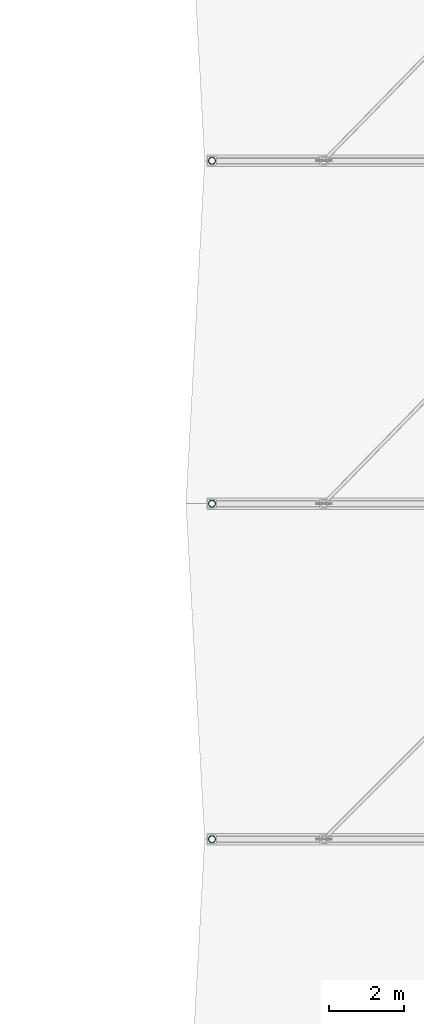
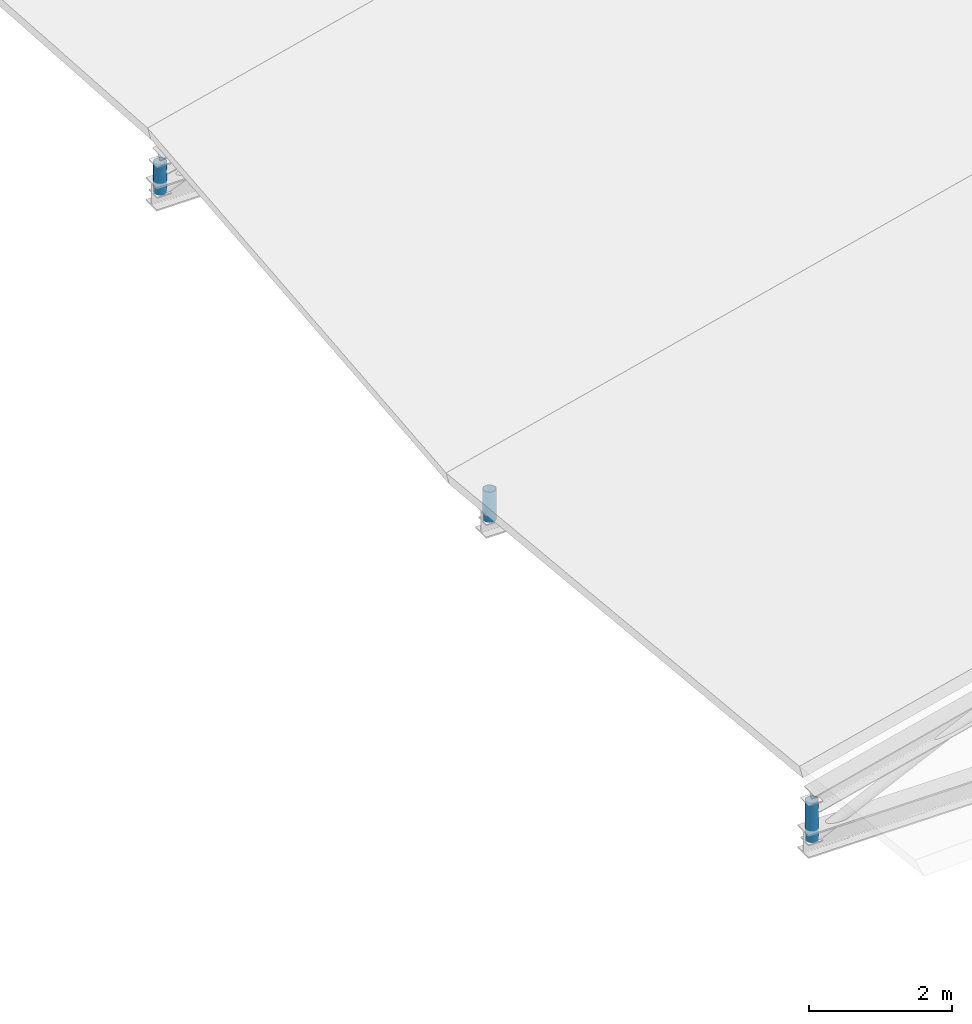
# One storey, part 19 of 33: 3 members.
"""IFC4 building model written with IfcOpenShell, lengths in metres."""

from ifc_helpers import new_model, si_unit, direction, frame, origin, origin_2d, place, context, subcontext, project, spatial, hollow_circle, extrude, material, material_profile, profile_set, type_object, element, save


model = new_model("IFC4")

# Units and contexts
model_context = context("Model", 3, precision=1e-05, world=origin(), true_north=direction((0.0, 1.0)))
body_context = subcontext(model_context, "Body", "Model", "MODEL_VIEW")
ifc_project = project(units=[si_unit("LENGTHUNIT", "METRE"), si_unit("AREAUNIT", "SQUARE_METRE"), si_unit("VOLUMEUNIT", "CUBIC_METRE"), si_unit("PLANEANGLEUNIT", "RADIAN"), si_unit("MASSUNIT", "GRAM", prefix="KILO")], contexts=[model_context])

# Site, building, storey
site_placement = place(None, origin())
site = spatial("IfcSite", under=ifc_project, at=site_placement, CompositionType="ELEMENT")
building_placement = place(site_placement, origin())
building = spatial("IfcBuilding", under=site, at=building_placement, Name="Bozkorgan Art Gallery", CompositionType="ELEMENT")
storey_placement = place(building_placement, frame((0.0, 0.0, 19.5)))
storey = spatial("IfcBuildingStorey", under=building, at=storey_placement, Name="L04", CompositionType="ELEMENT", Elevation=19.5)

# Members
ifc_material = material(Name="Steel S355J2", Category="steel")
ifc_material_profile = material_profile(ifc_material, hollow_circle(Radius=0.096923828125, WallThickness=0.008056640625, at=origin_2d()), Name="CHS 193.7x8")
ifc_profile_set = profile_set([ifc_material_profile], Name="Steel S355J2")
member_type = type_object("IfcMemberType", Name="MEMBER-TP-46", PredefinedType="POST", material=ifc_profile_set)
member_placement = place(storey_placement, frame((143.0, 11.0, 0.199951171875), z_axis=(0.0, 0.0, 1.0), x_axis=(1.0, 0.0, 0.0)))
element("IfcMember", 1, at=member_placement, inside=storey, type_object=member_type, Name="ROOF-V6-MAIN roof truss 2 post 0", PredefinedType="POST", context=body_context, shape_type="SweptSolid", body=[
    extrude(hollow_circle(Radius=0.096923828125, WallThickness=0.008056640625, at=origin_2d()), origin(), (0.0, 0.0, 1.0), 0.671630859375),
])
for number, where, z_axis, x_axis, name in (
    (2, (143.0, 20.0, 0.199951171875), (0.0, 0.0, 1.0), (1.0, 0.0, 0.0), "ROOF-V6-MAIN roof truss 3 post 0"),
    (3, (143.0, 29.199951171875, 0.199951171875), (0.0, 0.0, 1.0), (1.0, 0.0, 0.0), "ROOF-V6-MAIN roof truss 4 post 0"),
):
    element("IfcMember", number, at=place(storey_placement, frame(where, z_axis=z_axis, x_axis=x_axis)), inside=storey, type_object=member_type, Name=name, PredefinedType="POST", context=body_context, shape_type="SweptSolid", body=[
        extrude(hollow_circle(Radius=0.096923828125, WallThickness=0.008056640625, at=origin_2d()), origin(), (0.0, 0.0, 1.0), 0.516357421875),
    ])

save(model, "model.ifc")
